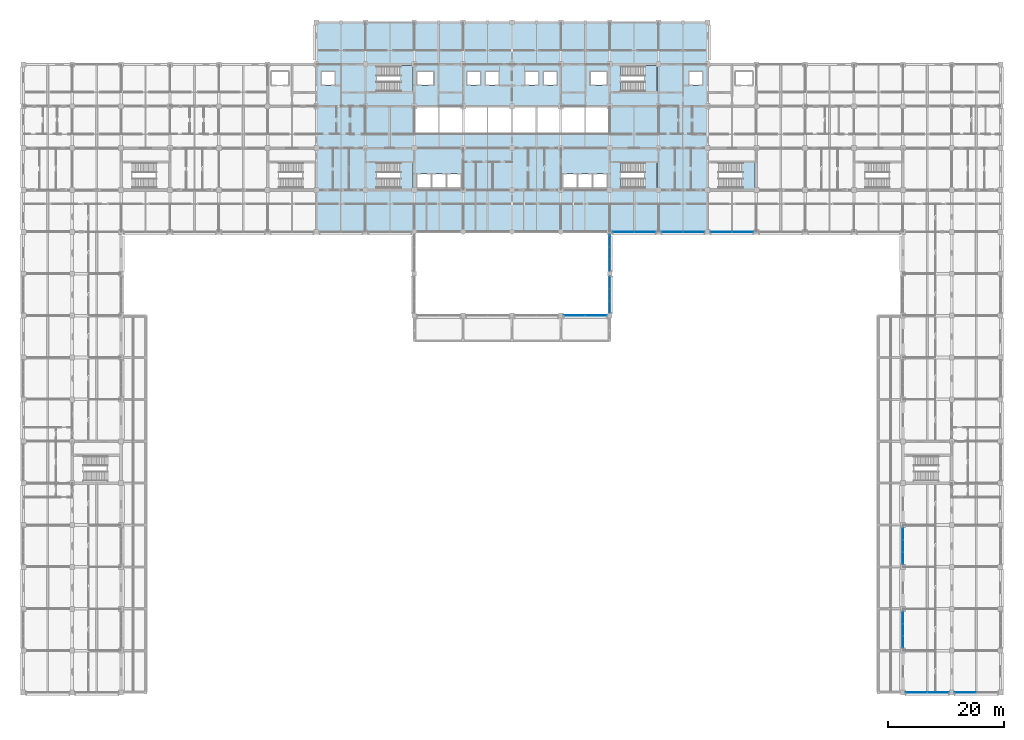
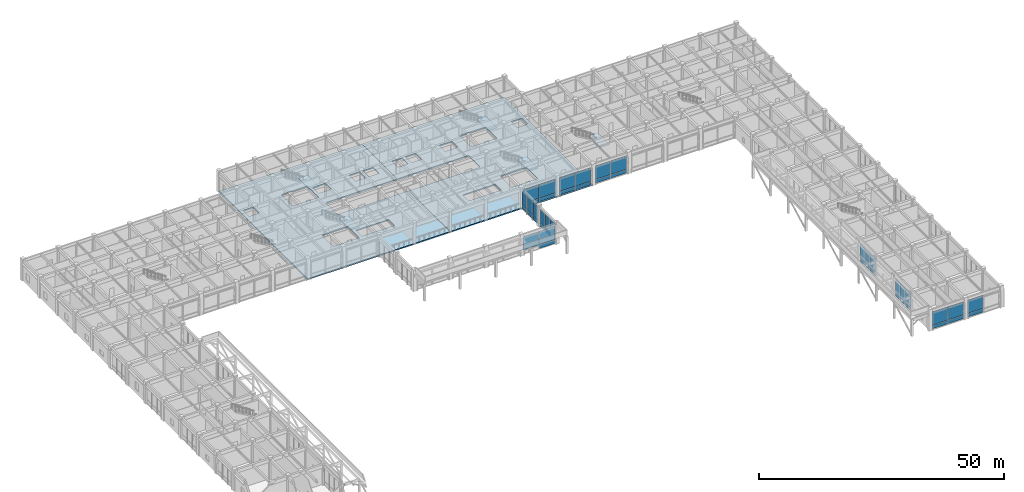
# One storey, part 31 of 68: 45 plates, 7 slabs, 15 elements without a shape of their own.
"""IFC4 building model written with IfcOpenShell, lengths in metres."""

import ifcopenshell
import ifcopenshell.guid

model = None  # the IFC model being written
_history = None  # IfcOwnerHistory: only IFC2X3 demands one
_inside = {}  # id of a spatial element -> (the spatial element, [elements in it])
_under = {}  # id of a project, library or spatial element -> (it, [spatial elements below it])
_declared = {}  # id of a project -> (the project, [libraries it declares])
_typed = {}  # id of a type object -> (the type object, [elements of that type])
_made_of = {}  # id of a material, layer set ... -> (it, [elements and type objects made of it])


def new_model(schema):
    """Start an empty IFC model of exactly this schema.

    Asked for "IFC4X3", IfcOpenShell would pick the latest addendum, in which some entities
    have other attributes; the version numbers below select the first issue.
    IFC2X3 requires an IfcOwnerHistory on every rooted entity: one is made here for all.
    """
    global model, _history
    if schema == "IFC4X3":
        model = ifcopenshell.file(schema_version=(4, 3, 0, 0))
    else:
        model = ifcopenshell.file(schema=schema)
    _inside.clear()
    _under.clear()
    _declared.clear()
    _typed.clear()
    _made_of.clear()
    _history = None
    if model.schema == "IFC2X3":
        org = make("IfcOrganization", Name="unknown")
        user = make(
            "IfcPersonAndOrganization",
            ThePerson=make("IfcPerson", FamilyName="unknown"),
            TheOrganization=org,
        )
        app = make(
            "IfcApplication",
            ApplicationDeveloper=org,
            Version="unknown",
            ApplicationFullName="unknown",
            ApplicationIdentifier="unknown",
        )
        _history = make(
            "IfcOwnerHistory",
            OwningUser=user,
            OwningApplication=app,
            ChangeAction="ADDED",
            CreationDate=0,
        )
    return model


def make(cls, **values):
    """One entity of the class cls with the attributes given. An attribute that is None is left unset."""
    return model.create_entity(
        cls, **{name: value for name, value in values.items() if value is not None}
    )


def rooted(cls, **values):
    """An entity with a GlobalId (a new one), such as an element, a storey or a relation."""
    return make(cls, GlobalId=ifcopenshell.guid.new(), OwnerHistory=_history, **values)


def si_unit(unit_type, name, prefix=None):
    """IfcSIUnit, for example si_unit("LENGTHUNIT", "METRE", prefix="MILLI")."""
    return make("IfcSIUnit", UnitType=unit_type, Prefix=prefix, Name=name)


def assignment(units):
    """IfcUnitAssignment: the units of a project."""
    return None if units is None else make("IfcUnitAssignment", Units=units)


def point(xyz):
    """IfcCartesianPoint."""
    return None if xyz is None else make("IfcCartesianPoint", Coordinates=xyz)


def direction(xyz):
    """IfcDirection."""
    return None if xyz is None else make("IfcDirection", DirectionRatios=xyz)


def frame(location, z_axis=None, x_axis=None):
    """IfcAxis2Placement3D, a coordinate frame: its origin and axes. An axis left out is left unset."""
    return make(
        "IfcAxis2Placement3D",
        Location=point(location),
        Axis=direction(z_axis),
        RefDirection=direction(x_axis),
    )


def frame_2d(location, x_axis=None):
    """IfcAxis2Placement2D, a coordinate frame in the plane: its origin and x axis."""
    return make(
        "IfcAxis2Placement2D", Location=point(location), RefDirection=direction(x_axis)
    )


def origin():
    """The frame at (0, 0, 0) with its axes left unset."""
    return frame((0.0, 0.0, 0.0))


def origin_2d():
    """The frame at (0, 0) in the plane with its x axis left unset."""
    return frame_2d((0.0, 0.0))


def place(relative_to, where):
    """IfcLocalPlacement: puts the frame where relative to a parent placement (None: the world)."""
    return make(
        "IfcLocalPlacement", PlacementRelTo=relative_to, RelativePlacement=where
    )


def context(
    kind, dimensions, precision=None, world=None, true_north=None, identifier=None
):
    """IfcGeometricRepresentationContext, for example the 3D "Model" context."""
    return make(
        "IfcGeometricRepresentationContext",
        ContextIdentifier=identifier,
        ContextType=kind,
        CoordinateSpaceDimension=dimensions,
        Precision=precision,
        WorldCoordinateSystem=world,
        TrueNorth=true_north,
    )


def subcontext(parent, identifier, kind, view, scale=None):
    """IfcGeometricRepresentationSubContext, for example "Body" below "Model"."""
    return make(
        "IfcGeometricRepresentationSubContext",
        ContextIdentifier=identifier,
        ContextType=kind,
        ParentContext=parent,
        TargetScale=scale,
        TargetView=view,
    )


def project(units=None, contexts=None):
    """IfcProject with its units and contexts."""
    return rooted(
        "IfcProject",
        Name="project",
        RepresentationContexts=contexts,
        UnitsInContext=assignment(units),
    )


def spatial(cls, under=None, at=None, **own):
    """A site, building, storey or space (cls), placed at a placement, below another one or the project."""
    s = rooted(cls, ObjectPlacement=at, **own)
    if under is not None:
        _under.setdefault(under.id(), (under, []))[1].append(s)
    return s


def polyline(points):
    """IfcPolyline through the points."""
    return make("IfcPolyline", Points=[point(p) for p in points])


def profile(cls, at=None, kind="AREA", **sizes):
    """A parametric profile (cls). Its sizes go by their IFC names, for example OverallWidth=200.0."""
    return make(cls, ProfileType=kind, Position=at, **sizes)


def rectangle(**sizes):
    """IfcRectangleProfileDef."""
    return profile("IfcRectangleProfileDef", **sizes)


def outline(outer, holes=None, kind="AREA"):
    """IfcArbitraryClosedProfileDef: a profile drawn as a closed curve; with holes, ...WithVoids."""
    if holes is None:
        return make("IfcArbitraryClosedProfileDef", ProfileType=kind, OuterCurve=outer)
    return make(
        "IfcArbitraryProfileDefWithVoids",
        ProfileType=kind,
        OuterCurve=outer,
        InnerCurves=holes,
    )


def extrude(swept, where, along, depth):
    """IfcExtrudedAreaSolid: the profile swept, set in the frame where, extruded along a direction by depth."""
    return make(
        "IfcExtrudedAreaSolid",
        SweptArea=swept,
        Position=where,
        ExtrudedDirection=direction(along),
        Depth=depth,
    )


def shape(context_of_items, identifier, shape_type, items):
    """IfcShapeRepresentation: the items that make up one representation, for example the "Body"."""
    return make(
        "IfcShapeRepresentation",
        ContextOfItems=context_of_items,
        RepresentationIdentifier=identifier,
        RepresentationType=shape_type,
        Items=items,
    )


def material(Name=None, Category=None):
    """IfcMaterial."""
    return make("IfcMaterial", Name=Name, Category=Category)


def layer(
    of_material, thickness, ventilated=None, Name=None, Category=None, Priority=None
):
    """IfcMaterialLayer: one layer of a wall or slab, of a material (None: an air gap)."""
    return make(
        "IfcMaterialLayer",
        Material=of_material,
        LayerThickness=thickness,
        IsVentilated=ventilated,
        Name=Name,
        Category=Category,
        Priority=Priority,
    )


def layer_set(layers, Name=None):
    """IfcMaterialLayerSet."""
    return make("IfcMaterialLayerSet", MaterialLayers=layers, LayerSetName=Name)


def made_of(thing, what):
    """Note that an element or type object is made of a material, layer set ...; save() writes the relation."""
    if what is not None:
        _made_of.setdefault(what.id(), (what, []))[1].append(thing)
    return thing


def type_object(cls, material=None, **own):
    """A type object (cls), such as IfcWallType, which elements share."""
    return made_of(rooted(cls, **own), material)


def element(
    cls,
    number,
    at=None,
    inside=None,
    cuts=None,
    type_object=None,
    material=None,
    context=None,
    identifier="Body",
    shape_type=None,
    held_by="IfcProductDefinitionShape",
    body=None,
    shapes=None,
    **own,
):
    """One element of the class cls, such as IfcWall. Its Tag is "e" and its number.

    at: its placement. inside: the storey or other place that contains it. cuts: it is an
    opening in that element (IfcRelVoidsElement). A single representation is given by context,
    identifier, shape_type and body (its items); several are given by shapes. held_by: the class
    of the entity that holds the representations. save() writes the other relations.
    """
    e = rooted(cls, Tag="e%d" % number, ObjectPlacement=at, **own)
    if body is not None:
        shapes = [shape(context, identifier, shape_type, body)]
    if shapes is not None:
        e.Representation = make(held_by, Representations=shapes)
    if inside is not None:
        _inside.setdefault(inside.id(), (inside, []))[1].append(e)
    if cuts is not None:
        rooted(
            "IfcRelVoidsElement", RelatingBuildingElement=cuts, RelatedOpeningElement=e
        )
    if type_object is not None:
        _typed.setdefault(type_object.id(), (type_object, []))[1].append(e)
    return made_of(e, material)


def aggregate(whole, parts):
    """IfcRelAggregates: a whole, such as a stair, and the parts it consists of."""
    return rooted("IfcRelAggregates", RelatingObject=whole, RelatedObjects=parts)


def save(model, path):
    """Write the relations noted so far, then the file.

    IfcRelAggregates (storeys below a building ...), IfcRelContainedInSpatialStructure (elements
    in a storey), IfcRelDefinesByType, IfcRelAssociatesMaterial and IfcRelDeclares: one each for
    every whole, place, type object, material and project.
    """
    for whole, parts in _under.values():
        aggregate(whole, parts)
    for where, things in _inside.values():
        rooted(
            "IfcRelContainedInSpatialStructure",
            RelatedElements=things,
            RelatingStructure=where,
        )
    for kind, things in _typed.values():
        rooted("IfcRelDefinesByType", RelatedObjects=things, RelatingType=kind)
    for what, things in _made_of.values():
        rooted("IfcRelAssociatesMaterial", RelatedObjects=things, RelatingMaterial=what)
    for by, libraries in _declared.values():
        rooted("IfcRelDeclares", RelatingContext=by, RelatedDefinitions=libraries)
    model.write(path)


model = new_model("IFC4")

# Units and contexts
model_context = context("Model", 3, precision=1e-05, world=origin(), true_north=direction((0.0, 1.0)))
body_context = subcontext(model_context, "Body", "Model", "MODEL_VIEW")
ifc_project = project(units=[si_unit("LENGTHUNIT", "METRE"), si_unit("AREAUNIT", "SQUARE_METRE"), si_unit("VOLUMEUNIT", "CUBIC_METRE"), si_unit("PLANEANGLEUNIT", "RADIAN"), si_unit("MASSUNIT", "GRAM", prefix="KILO")], contexts=[model_context])

# Site, building, storey
site_placement = place(None, origin())
site = spatial("IfcSite", under=ifc_project, at=site_placement, CompositionType="ELEMENT")
building_placement = place(site_placement, origin())
building = spatial("IfcBuilding", under=site, at=building_placement, Name="Chengyuan Square Courthouse", CompositionType="ELEMENT")
storey_placement = place(building_placement, frame((0.0, 0.0, 5.39990234375)))
storey = spatial("IfcBuildingStorey", under=building, at=storey_placement, Name="L02", CompositionType="ELEMENT", Elevation=5.39990234375)

# Curtain wall, plates
ifc_material_1 = material(Name="Unitised Aluminium and Triple Low-E Glass", Category="aluminium")
ifc_layer_1 = layer(ifc_material_1, 0.219970703125)
ifc_layer_set_1 = layer_set([ifc_layer_1], Name="Unitised Aluminium and Triple Low-E Glass")
curtain_wall_type_1 = type_object("IfcCurtainWallType", Name="CW-04", PredefinedType="USERDEFINED", material=ifc_layer_set_1)
curtain_wall_1_placement = place(storey_placement, origin())
curtain_wall_1 = element("IfcCurtainWall", 1, at=curtain_wall_1_placement, inside=storey, type_object=curtain_wall_type_1, Name="Unitised Curtain Wall CW-L02-066", ObjectType="UNITISED CURTAIN WALL", PredefinedType="USERDEFINED")
ifc_material_2 = material(Name="Triple Low-E Insulating Glass", Category="glass")
ifc_layer_2 = layer(ifc_material_2, 0.052001953125)
ifc_layer_set_2 = layer_set([ifc_layer_2], Name="Triple Low-E Insulating Glass")
plate_type_1 = type_object("IfcPlateType", Name="CWP-04", PredefinedType="CURTAIN_PANEL", material=ifc_layer_set_2)
plate_1_placement = place(storey_placement, frame((94.732421875, 64.800048828125, 0.990234375), z_axis=(0.0, 0.0, 1.0), x_axis=(1.0, 0.0, 0.0)))
plate_1 = element("IfcPlate", 2, at=plate_1_placement, type_object=plate_type_1, Name="CW-04 panel 1.2", PredefinedType="CURTAIN_PANEL", context=body_context, shape_type="SweptSolid", body=[
    extrude(rectangle(XDim=3.655029296875, YDim=0.052001953125, at=origin_2d()), origin(), (0.0, 0.0, 1.0), 3.39990234375),
])
plate_2_placement = place(storey_placement, frame((98.467529296875, 64.800048828125, 0.080078125), z_axis=(0.0, 0.0, 1.0), x_axis=(1.0, 0.0, 0.0)))
plate_2 = element("IfcPlate", 3, at=plate_2_placement, type_object=plate_type_1, Name="CW-04 panel 2.1", PredefinedType="CURTAIN_PANEL", context=body_context, shape_type="SweptSolid", body=[
    extrude(rectangle(XDim=3.655029296875, YDim=0.052001953125, at=origin_2d()), origin(), (0.0, 0.0, 1.0), 0.830078125),
])
plate_3_placement = place(storey_placement, frame((98.467529296875, 64.800048828125, 0.990234375), z_axis=(0.0, 0.0, 1.0), x_axis=(1.0, 0.0, 0.0)))
plate_3 = element("IfcPlate", 4, at=plate_3_placement, type_object=plate_type_1, Name="CW-04 panel 2.2", PredefinedType="CURTAIN_PANEL", context=body_context, shape_type="SweptSolid", body=[
    extrude(rectangle(XDim=3.655029296875, YDim=0.052001953125, at=origin_2d()), origin(), (0.0, 0.0, 1.0), 3.39990234375),
])
aggregate(curtain_wall_1, [plate_1, plate_2, plate_3])

curtain_wall_2_placement = place(storey_placement, origin())
curtain_wall_2 = element("IfcCurtainWall", 5, at=curtain_wall_2_placement, inside=storey, type_object=curtain_wall_type_1, Name="Unitised Curtain Wall CW-L02-069", ObjectType="UNITISED CURTAIN WALL", PredefinedType="USERDEFINED")
plate_4_placement = place(storey_placement, frame((103.14501953125, 79.199951171875, 0.080078125), z_axis=(0.0, 0.0, 1.0), x_axis=(1.0, 0.0, 0.0)))
plate_4 = element("IfcPlate", 6, at=plate_4_placement, type_object=plate_type_1, Name="CW-04 panel 1.1", PredefinedType="CURTAIN_PANEL", context=body_context, shape_type="SweptSolid", body=[
    extrude(rectangle(XDim=3.6298828125, YDim=0.052001953125, at=origin_2d()), origin(), (0.0, 0.0, 1.0), 0.830078125),
])
plate_5_placement = place(storey_placement, frame((103.14501953125, 79.199951171875, 0.990234375), z_axis=(0.0, 0.0, 1.0), x_axis=(1.0, 0.0, 0.0)))
plate_5 = element("IfcPlate", 7, at=plate_5_placement, type_object=plate_type_1, Name="CW-04 panel 1.2", PredefinedType="CURTAIN_PANEL", context=body_context, shape_type="SweptSolid", body=[
    extrude(rectangle(XDim=3.6298828125, YDim=0.052001953125, at=origin_2d()), origin(), (0.0, 0.0, 1.0), 3.39990234375),
])
plate_6_placement = place(storey_placement, frame((106.85498046875, 79.199951171875, 0.080078125), z_axis=(0.0, 0.0, 1.0), x_axis=(1.0, 0.0, 0.0)))
plate_6 = element("IfcPlate", 8, at=plate_6_placement, type_object=plate_type_1, Name="CW-04 panel 2.1", PredefinedType="CURTAIN_PANEL", context=body_context, shape_type="SweptSolid", body=[
    extrude(rectangle(XDim=3.6298828125, YDim=0.052001953125, at=origin_2d()), origin(), (0.0, 0.0, 1.0), 0.830078125),
])
plate_7_placement = place(storey_placement, frame((106.85498046875, 79.199951171875, 0.990234375), z_axis=(0.0, 0.0, 1.0), x_axis=(1.0, 0.0, 0.0)))
plate_7 = element("IfcPlate", 9, at=plate_7_placement, type_object=plate_type_1, Name="CW-04 panel 2.2", PredefinedType="CURTAIN_PANEL", context=body_context, shape_type="SweptSolid", body=[
    extrude(rectangle(XDim=3.6298828125, YDim=0.052001953125, at=origin_2d()), origin(), (0.0, 0.0, 1.0), 3.39990234375),
])
aggregate(curtain_wall_2, [plate_4, plate_5, plate_6, plate_7])

curtain_wall_3_placement = place(storey_placement, origin())
curtain_wall_3 = element("IfcCurtainWall", 10, at=curtain_wall_3_placement, inside=storey, type_object=curtain_wall_type_1, Name="Unitised Curtain Wall CW-L02-070", ObjectType="UNITISED CURTAIN WALL", PredefinedType="USERDEFINED")
plate_8_placement = place(storey_placement, frame((111.544921875, 79.199951171875, 0.080078125), z_axis=(0.0, 0.0, 1.0), x_axis=(1.0, 0.0, 0.0)))
plate_8 = element("IfcPlate", 11, at=plate_8_placement, type_object=plate_type_1, Name="CW-04 panel 1.1", PredefinedType="CURTAIN_PANEL", context=body_context, shape_type="SweptSolid", body=[
    extrude(rectangle(XDim=3.6298828125, YDim=0.052001953125, at=origin_2d()), origin(), (0.0, 0.0, 1.0), 0.830078125),
])
plate_9_placement = place(storey_placement, frame((111.544921875, 79.199951171875, 0.990234375), z_axis=(0.0, 0.0, 1.0), x_axis=(1.0, 0.0, 0.0)))
plate_9 = element("IfcPlate", 12, at=plate_9_placement, type_object=plate_type_1, Name="CW-04 panel 1.2", PredefinedType="CURTAIN_PANEL", context=body_context, shape_type="SweptSolid", body=[
    extrude(rectangle(XDim=3.6298828125, YDim=0.052001953125, at=origin_2d()), origin(), (0.0, 0.0, 1.0), 3.39990234375),
])
plate_10_placement = place(storey_placement, frame((115.2548828125, 79.199951171875, 0.080078125), z_axis=(0.0, 0.0, 1.0), x_axis=(1.0, 0.0, 0.0)))
plate_10 = element("IfcPlate", 13, at=plate_10_placement, type_object=plate_type_1, Name="CW-04 panel 2.1", PredefinedType="CURTAIN_PANEL", context=body_context, shape_type="SweptSolid", body=[
    extrude(rectangle(XDim=3.6298828125, YDim=0.052001953125, at=origin_2d()), origin(), (0.0, 0.0, 1.0), 0.830078125),
])
plate_11_placement = place(storey_placement, frame((115.2548828125, 79.199951171875, 0.990234375), z_axis=(0.0, 0.0, 1.0), x_axis=(1.0, 0.0, 0.0)))
plate_11 = element("IfcPlate", 14, at=plate_11_placement, type_object=plate_type_1, Name="CW-04 panel 2.2", PredefinedType="CURTAIN_PANEL", context=body_context, shape_type="SweptSolid", body=[
    extrude(rectangle(XDim=3.6298828125, YDim=0.052001953125, at=origin_2d()), origin(), (0.0, 0.0, 1.0), 3.39990234375),
])
aggregate(curtain_wall_3, [plate_8, plate_9, plate_10, plate_11])

curtain_wall_4_placement = place(storey_placement, origin())
curtain_wall_4 = element("IfcCurtainWall", 15, at=curtain_wall_4_placement, inside=storey, type_object=curtain_wall_type_1, Name="Unitised Curtain Wall CW-L02-071", ObjectType="UNITISED CURTAIN WALL", PredefinedType="USERDEFINED")
plate_12_placement = place(storey_placement, frame((119.951171875, 79.199951171875, 0.080078125), z_axis=(0.0, 0.0, 1.0), x_axis=(1.0, 0.0, 0.0)))
plate_12 = element("IfcPlate", 16, at=plate_12_placement, type_object=plate_type_1, Name="CW-04 panel 1.1", PredefinedType="CURTAIN_PANEL", context=body_context, shape_type="SweptSolid", body=[
    extrude(rectangle(XDim=3.642578125, YDim=0.052001953125, at=origin_2d()), origin(), (0.0, 0.0, 1.0), 0.830078125),
])
plate_13_placement = place(storey_placement, frame((119.951171875, 79.199951171875, 0.990234375), z_axis=(0.0, 0.0, 1.0), x_axis=(1.0, 0.0, 0.0)))
plate_13 = element("IfcPlate", 17, at=plate_13_placement, type_object=plate_type_1, Name="CW-04 panel 1.2", PredefinedType="CURTAIN_PANEL", context=body_context, shape_type="SweptSolid", body=[
    extrude(rectangle(XDim=3.642578125, YDim=0.052001953125, at=origin_2d()), origin(), (0.0, 0.0, 1.0), 3.39990234375),
])
plate_14_placement = place(storey_placement, frame((123.673828125, 79.199951171875, 0.080078125), z_axis=(0.0, 0.0, 1.0), x_axis=(1.0, 0.0, 0.0)))
plate_14 = element("IfcPlate", 18, at=plate_14_placement, type_object=plate_type_1, Name="CW-04 panel 2.1", PredefinedType="CURTAIN_PANEL", context=body_context, shape_type="SweptSolid", body=[
    extrude(rectangle(XDim=3.642578125, YDim=0.052001953125, at=origin_2d()), origin(), (0.0, 0.0, 1.0), 0.830078125),
])
plate_15_placement = place(storey_placement, frame((123.673828125, 79.199951171875, 0.990234375), z_axis=(0.0, 0.0, 1.0), x_axis=(1.0, 0.0, 0.0)))
plate_15 = element("IfcPlate", 19, at=plate_15_placement, type_object=plate_type_1, Name="CW-04 panel 2.2", PredefinedType="CURTAIN_PANEL", context=body_context, shape_type="SweptSolid", body=[
    extrude(rectangle(XDim=3.642578125, YDim=0.052001953125, at=origin_2d()), origin(), (0.0, 0.0, 1.0), 3.39990234375),
])
aggregate(curtain_wall_4, [plate_12, plate_13, plate_14, plate_15])

curtain_wall_5_placement = place(storey_placement, origin())
curtain_wall_5 = element("IfcCurtainWall", 20, at=curtain_wall_5_placement, inside=storey, type_object=curtain_wall_type_1, Name="Unitised Curtain Wall CW-L02-077", ObjectType="UNITISED CURTAIN WALL", PredefinedType="USERDEFINED")
plate_16_placement = place(storey_placement, frame((153.532470703125, 0.0, 0.080078125), z_axis=(0.0, 0.0, 1.0), x_axis=(1.0, 0.0, 0.0)))
plate_16 = element("IfcPlate", 21, at=plate_16_placement, type_object=plate_type_1, Name="CW-04 panel 1.1", PredefinedType="CURTAIN_PANEL", context=body_context, shape_type="SweptSolid", body=[
    extrude(rectangle(XDim=3.655029296875, YDim=0.052001953125, at=origin_2d()), origin(), (0.0, 0.0, 1.0), 0.830078125),
])
plate_17_placement = place(storey_placement, frame((153.532470703125, 0.0, 0.989990234375), z_axis=(0.0, 0.0, 1.0), x_axis=(1.0, 0.0, 0.0)))
plate_17 = element("IfcPlate", 22, at=plate_17_placement, type_object=plate_type_1, Name="CW-04 panel 1.2", PredefinedType="CURTAIN_PANEL", context=body_context, shape_type="SweptSolid", body=[
    extrude(rectangle(XDim=3.655029296875, YDim=0.052001953125, at=origin_2d()), origin(), (0.0, 0.0, 1.0), 3.330078125),
])
plate_18_placement = place(storey_placement, frame((157.267578125, 0.0, 0.080078125), z_axis=(0.0, 0.0, 1.0), x_axis=(1.0, 0.0, 0.0)))
plate_18 = element("IfcPlate", 23, at=plate_18_placement, type_object=plate_type_1, Name="CW-04 panel 2.1", PredefinedType="CURTAIN_PANEL", context=body_context, shape_type="SweptSolid", body=[
    extrude(rectangle(XDim=3.655029296875, YDim=0.052001953125, at=origin_2d()), origin(), (0.0, 0.0, 1.0), 0.830078125),
])
plate_19_placement = place(storey_placement, frame((157.267578125, 0.0, 0.989990234375), z_axis=(0.0, 0.0, 1.0), x_axis=(1.0, 0.0, 0.0)))
plate_19 = element("IfcPlate", 24, at=plate_19_placement, type_object=plate_type_1, Name="CW-04 panel 2.2", PredefinedType="CURTAIN_PANEL", context=body_context, shape_type="SweptSolid", body=[
    extrude(rectangle(XDim=3.655029296875, YDim=0.052001953125, at=origin_2d()), origin(), (0.0, 0.0, 1.0), 3.330078125),
])
aggregate(curtain_wall_5, [plate_16, plate_17, plate_18, plate_19])

curtain_wall_6_placement = place(storey_placement, origin())
curtain_wall_6 = element("IfcCurtainWall", 25, at=curtain_wall_6_placement, inside=storey, type_object=curtain_wall_type_1, Name="Unitised Curtain Wall CW-L02-082", ObjectType="UNITISED CURTAIN WALL", PredefinedType="USERDEFINED")
plate_20_placement = place(storey_placement, frame((161.9326171875, 0.0, 0.080078125), z_axis=(0.0, 0.0, 1.0), x_axis=(1.0, 0.0, 0.0)))
plate_20 = element("IfcPlate", 26, at=plate_20_placement, type_object=plate_type_1, Name="CW-04 panel 1.1", PredefinedType="CURTAIN_PANEL", context=body_context, shape_type="SweptSolid", body=[
    extrude(rectangle(XDim=3.655029296875, YDim=0.052001953125, at=origin_2d()), origin(), (0.0, 0.0, 1.0), 0.830078125),
])
plate_21_placement = place(storey_placement, frame((161.9326171875, 0.0, 0.989990234375), z_axis=(0.0, 0.0, 1.0), x_axis=(1.0, 0.0, 0.0)))
plate_21 = element("IfcPlate", 27, at=plate_21_placement, type_object=plate_type_1, Name="CW-04 panel 1.2", PredefinedType="CURTAIN_PANEL", context=body_context, shape_type="SweptSolid", body=[
    extrude(rectangle(XDim=3.655029296875, YDim=0.052001953125, at=origin_2d()), origin(), (0.0, 0.0, 1.0), 3.330078125),
])
aggregate(curtain_wall_6, [plate_20, plate_21])

ifc_layer_3 = layer(ifc_material_1, 0.159912109375)
ifc_layer_set_3 = layer_set([ifc_layer_3], Name="Unitised Aluminium and Triple Low-E Glass")
curtain_wall_type_2 = type_object("IfcCurtainWallType", Name="CW-17", PredefinedType="USERDEFINED", material=ifc_layer_set_3)
curtain_wall_7_placement = place(storey_placement, origin())
curtain_wall_7 = element("IfcCurtainWall", 28, at=curtain_wall_7_placement, inside=storey, type_object=curtain_wall_type_2, Name="Unitised Curtain Wall CW-L02-067", ObjectType="UNITISED CURTAIN WALL", PredefinedType="USERDEFINED")
ifc_layer_4 = layer(ifc_material_2, 0.06201171875)
ifc_layer_set_4 = layer_set([ifc_layer_4], Name="Triple Low-E Insulating Glass")
plate_type_2 = type_object("IfcPlateType", Name="CWP-05", PredefinedType="CURTAIN_PANEL", material=ifc_layer_set_4)
plate_22_placement = place(storey_placement, frame((100.800048828125, 66.29833984375, 0.06005859375), z_axis=(0.0, 0.0, 1.0), x_axis=(0.0, 1.0, 0.0)))
plate_22 = element("IfcPlate", 29, at=plate_22_placement, type_object=plate_type_2, Name="CW-17 panel 1.1", PredefinedType="CURTAIN_PANEL", context=body_context, shape_type="SweptSolid", body=[
    extrude(rectangle(XDim=2.026611328125, YDim=0.06201171875, at=origin_2d()), origin(), (0.0, 0.0, 1.0), 0.860107421875),
])
plate_23_placement = place(storey_placement, frame((100.800048828125, 66.29833984375, 0.97998046875), z_axis=(0.0, 0.0, 1.0), x_axis=(0.0, 1.0, 0.0)))
plate_23 = element("IfcPlate", 30, at=plate_23_placement, type_object=plate_type_2, Name="CW-17 panel 1.2", PredefinedType="CURTAIN_PANEL", context=body_context, shape_type="SweptSolid", body=[
    extrude(rectangle(XDim=2.026611328125, YDim=0.06201171875, at=origin_2d()), origin(), (0.0, 0.0, 1.0), 3.429931640625),
])
plate_24_placement = place(storey_placement, frame((100.800048828125, 68.39990234375, 0.06005859375), z_axis=(0.0, 0.0, 1.0), x_axis=(0.0, 1.0, 0.0)))
plate_24 = element("IfcPlate", 31, at=plate_24_placement, type_object=plate_type_2, Name="CW-17 panel 2.1", PredefinedType="CURTAIN_PANEL", context=body_context, shape_type="SweptSolid", body=[
    extrude(rectangle(XDim=2.056640625, YDim=0.06201171875, at=origin_2d()), origin(), (0.0, 0.0, 1.0), 0.860107421875),
])
plate_25_placement = place(storey_placement, frame((100.800048828125, 68.39990234375, 0.97998046875), z_axis=(0.0, 0.0, 1.0), x_axis=(0.0, 1.0, 0.0)))
plate_25 = element("IfcPlate", 32, at=plate_25_placement, type_object=plate_type_2, Name="CW-17 panel 2.2", PredefinedType="CURTAIN_PANEL", context=body_context, shape_type="SweptSolid", body=[
    extrude(rectangle(XDim=2.056640625, YDim=0.06201171875, at=origin_2d()), origin(), (0.0, 0.0, 1.0), 3.429931640625),
])
plate_26_placement = place(storey_placement, frame((100.800048828125, 70.501708984375, 0.06005859375), z_axis=(0.0, 0.0, 1.0), x_axis=(0.0, 1.0, 0.0)))
plate_26 = element("IfcPlate", 33, at=plate_26_placement, type_object=plate_type_2, Name="CW-17 panel 3.1", PredefinedType="CURTAIN_PANEL", context=body_context, shape_type="SweptSolid", body=[
    extrude(rectangle(XDim=2.026611328125, YDim=0.06201171875, at=origin_2d()), origin(), (0.0, 0.0, 1.0), 0.860107421875),
])
plate_27_placement = place(storey_placement, frame((100.800048828125, 70.501708984375, 0.97998046875), z_axis=(0.0, 0.0, 1.0), x_axis=(0.0, 1.0, 0.0)))
plate_27 = element("IfcPlate", 34, at=plate_27_placement, type_object=plate_type_2, Name="CW-17 panel 3.2", PredefinedType="CURTAIN_PANEL", context=body_context, shape_type="SweptSolid", body=[
    extrude(rectangle(XDim=2.026611328125, YDim=0.06201171875, at=origin_2d()), origin(), (0.0, 0.0, 1.0), 3.429931640625),
])
aggregate(curtain_wall_7, [plate_22, plate_23, plate_24, plate_25, plate_26, plate_27])

curtain_wall_8_placement = place(storey_placement, origin())
curtain_wall_8 = element("IfcCurtainWall", 35, at=curtain_wall_8_placement, inside=storey, type_object=curtain_wall_type_2, Name="Unitised Curtain Wall CW-L02-068", ObjectType="UNITISED CURTAIN WALL", PredefinedType="USERDEFINED")
plate_28_placement = place(storey_placement, frame((100.800048828125, 73.494140625, 0.06005859375), z_axis=(0.0, 0.0, 1.0), x_axis=(0.0, 1.0, 0.0)))
plate_28 = element("IfcPlate", 36, at=plate_28_placement, type_object=plate_type_2, Name="CW-17 panel 1.1", PredefinedType="CURTAIN_PANEL", context=body_context, shape_type="SweptSolid", body=[
    extrude(rectangle(XDim=2.018310546875, YDim=0.06201171875, at=origin_2d()), origin(), (0.0, 0.0, 1.0), 0.860107421875),
])
plate_29_placement = place(storey_placement, frame((100.800048828125, 73.494140625, 0.97998046875), z_axis=(0.0, 0.0, 1.0), x_axis=(0.0, 1.0, 0.0)))
plate_29 = element("IfcPlate", 37, at=plate_29_placement, type_object=plate_type_2, Name="CW-17 panel 1.2", PredefinedType="CURTAIN_PANEL", context=body_context, shape_type="SweptSolid", body=[
    extrude(rectangle(XDim=2.018310546875, YDim=0.06201171875, at=origin_2d()), origin(), (0.0, 0.0, 1.0), 3.429931640625),
])
plate_30_placement = place(storey_placement, frame((100.800048828125, 75.58740234375, 0.06005859375), z_axis=(0.0, 0.0, 1.0), x_axis=(0.0, 1.0, 0.0)))
plate_30 = element("IfcPlate", 38, at=plate_30_placement, type_object=plate_type_2, Name="CW-17 panel 2.1", PredefinedType="CURTAIN_PANEL", context=body_context, shape_type="SweptSolid", body=[
    extrude(rectangle(XDim=2.04833984375, YDim=0.06201171875, at=origin_2d()), origin(), (0.0, 0.0, 1.0), 0.860107421875),
])
plate_31_placement = place(storey_placement, frame((100.800048828125, 75.58740234375, 0.97998046875), z_axis=(0.0, 0.0, 1.0), x_axis=(0.0, 1.0, 0.0)))
plate_31 = element("IfcPlate", 39, at=plate_31_placement, type_object=plate_type_2, Name="CW-17 panel 2.2", PredefinedType="CURTAIN_PANEL", context=body_context, shape_type="SweptSolid", body=[
    extrude(rectangle(XDim=2.04833984375, YDim=0.06201171875, at=origin_2d()), origin(), (0.0, 0.0, 1.0), 3.429931640625),
])
plate_32_placement = place(storey_placement, frame((100.800048828125, 77.680908203125, 0.06005859375), z_axis=(0.0, 0.0, 1.0), x_axis=(0.0, 1.0, 0.0)))
plate_32 = element("IfcPlate", 40, at=plate_32_placement, type_object=plate_type_2, Name="CW-17 panel 3.1", PredefinedType="CURTAIN_PANEL", context=body_context, shape_type="SweptSolid", body=[
    extrude(rectangle(XDim=2.018310546875, YDim=0.06201171875, at=origin_2d()), origin(), (0.0, 0.0, 1.0), 0.860107421875),
])
plate_33_placement = place(storey_placement, frame((100.800048828125, 77.680908203125, 0.97998046875), z_axis=(0.0, 0.0, 1.0), x_axis=(0.0, 1.0, 0.0)))
plate_33 = element("IfcPlate", 41, at=plate_33_placement, type_object=plate_type_2, Name="CW-17 panel 3.2", PredefinedType="CURTAIN_PANEL", context=body_context, shape_type="SweptSolid", body=[
    extrude(rectangle(XDim=2.018310546875, YDim=0.06201171875, at=origin_2d()), origin(), (0.0, 0.0, 1.0), 3.429931640625),
])
aggregate(curtain_wall_8, [plate_28, plate_29, plate_30, plate_31, plate_32, plate_33])

curtain_wall_9_placement = place(storey_placement, origin())
curtain_wall_9 = element("IfcCurtainWall", 42, at=curtain_wall_9_placement, inside=storey, type_object=curtain_wall_type_2, Name="Unitised Curtain Wall CW-L02-078", ObjectType="UNITISED CURTAIN WALL", PredefinedType="USERDEFINED")
plate_34_placement = place(storey_placement, frame((151.199951171875, 8.6982421875, 0.06005859375), z_axis=(0.0, 0.0, 1.0), x_axis=(0.0, 1.0, 0.0)))
plate_34 = element("IfcPlate", 43, at=plate_34_placement, type_object=plate_type_2, Name="CW-17 panel 1.1", PredefinedType="CURTAIN_PANEL", context=body_context, shape_type="SweptSolid", body=[
    extrude(rectangle(XDim=2.026611328125, YDim=0.06201171875, at=origin_2d()), origin(), (0.0, 0.0, 1.0), 0.860107421875),
])
plate_35_placement = place(storey_placement, frame((151.199951171875, 8.6982421875, 0.97998046875), z_axis=(0.0, 0.0, 1.0), x_axis=(0.0, 1.0, 0.0)))
plate_35 = element("IfcPlate", 44, at=plate_35_placement, type_object=plate_type_2, Name="CW-17 panel 1.2", PredefinedType="CURTAIN_PANEL", context=body_context, shape_type="SweptSolid", body=[
    extrude(rectangle(XDim=2.026611328125, YDim=0.06201171875, at=origin_2d()), origin(), (0.0, 0.0, 1.0), 3.360107421875),
])
plate_36_placement = place(storey_placement, frame((151.199951171875, 10.800048828125, 0.06005859375), z_axis=(0.0, 0.0, 1.0), x_axis=(0.0, 1.0, 0.0)))
plate_36 = element("IfcPlate", 45, at=plate_36_placement, type_object=plate_type_2, Name="CW-17 panel 2.1", PredefinedType="CURTAIN_PANEL", context=body_context, shape_type="SweptSolid", body=[
    extrude(rectangle(XDim=2.056640625, YDim=0.06201171875, at=origin_2d()), origin(), (0.0, 0.0, 1.0), 0.860107421875),
])
plate_37_placement = place(storey_placement, frame((151.199951171875, 10.800048828125, 0.97998046875), z_axis=(0.0, 0.0, 1.0), x_axis=(0.0, 1.0, 0.0)))
plate_37 = element("IfcPlate", 46, at=plate_37_placement, type_object=plate_type_2, Name="CW-17 panel 2.2", PredefinedType="CURTAIN_PANEL", context=body_context, shape_type="SweptSolid", body=[
    extrude(rectangle(XDim=2.056640625, YDim=0.06201171875, at=origin_2d()), origin(), (0.0, 0.0, 1.0), 3.360107421875),
])
plate_38_placement = place(storey_placement, frame((151.199951171875, 12.901611328125, 0.06005859375), z_axis=(0.0, 0.0, 1.0), x_axis=(0.0, 1.0, 0.0)))
plate_38 = element("IfcPlate", 47, at=plate_38_placement, type_object=plate_type_2, Name="CW-17 panel 3.1", PredefinedType="CURTAIN_PANEL", context=body_context, shape_type="SweptSolid", body=[
    extrude(rectangle(XDim=2.026611328125, YDim=0.06201171875, at=origin_2d()), origin(), (0.0, 0.0, 1.0), 0.860107421875),
])
plate_39_placement = place(storey_placement, frame((151.199951171875, 12.901611328125, 0.97998046875), z_axis=(0.0, 0.0, 1.0), x_axis=(0.0, 1.0, 0.0)))
plate_39 = element("IfcPlate", 48, at=plate_39_placement, type_object=plate_type_2, Name="CW-17 panel 3.2", PredefinedType="CURTAIN_PANEL", context=body_context, shape_type="SweptSolid", body=[
    extrude(rectangle(XDim=2.026611328125, YDim=0.06201171875, at=origin_2d()), origin(), (0.0, 0.0, 1.0), 3.360107421875),
])
aggregate(curtain_wall_9, [plate_34, plate_35, plate_36, plate_37, plate_38, plate_39])

curtain_wall_10_placement = place(storey_placement, origin())
curtain_wall_10 = element("IfcCurtainWall", 49, at=curtain_wall_10_placement, inside=storey, type_object=curtain_wall_type_2, Name="Unitised Curtain Wall CW-L02-079", ObjectType="UNITISED CURTAIN WALL", PredefinedType="USERDEFINED")
plate_40_placement = place(storey_placement, frame((151.199951171875, 23.098388671875, 0.06005859375), z_axis=(0.0, 0.0, 1.0), x_axis=(0.0, 1.0, 0.0)))
plate_40 = element("IfcPlate", 50, at=plate_40_placement, type_object=plate_type_2, Name="CW-17 panel 1.1", PredefinedType="CURTAIN_PANEL", context=body_context, shape_type="SweptSolid", body=[
    extrude(rectangle(XDim=2.026611328125, YDim=0.06201171875, at=origin_2d()), origin(), (0.0, 0.0, 1.0), 0.860107421875),
])
plate_41_placement = place(storey_placement, frame((151.199951171875, 23.098388671875, 0.97998046875), z_axis=(0.0, 0.0, 1.0), x_axis=(0.0, 1.0, 0.0)))
plate_41 = element("IfcPlate", 51, at=plate_41_placement, type_object=plate_type_2, Name="CW-17 panel 1.2", PredefinedType="CURTAIN_PANEL", context=body_context, shape_type="SweptSolid", body=[
    extrude(rectangle(XDim=2.026611328125, YDim=0.06201171875, at=origin_2d()), origin(), (0.0, 0.0, 1.0), 3.360107421875),
])
plate_42_placement = place(storey_placement, frame((151.199951171875, 25.199951171875, 0.06005859375), z_axis=(0.0, 0.0, 1.0), x_axis=(0.0, 1.0, 0.0)))
plate_42 = element("IfcPlate", 52, at=plate_42_placement, type_object=plate_type_2, Name="CW-17 panel 2.1", PredefinedType="CURTAIN_PANEL", context=body_context, shape_type="SweptSolid", body=[
    extrude(rectangle(XDim=2.056640625, YDim=0.06201171875, at=origin_2d()), origin(), (0.0, 0.0, 1.0), 0.860107421875),
])
plate_43_placement = place(storey_placement, frame((151.199951171875, 25.199951171875, 0.97998046875), z_axis=(0.0, 0.0, 1.0), x_axis=(0.0, 1.0, 0.0)))
plate_43 = element("IfcPlate", 53, at=plate_43_placement, type_object=plate_type_2, Name="CW-17 panel 2.2", PredefinedType="CURTAIN_PANEL", context=body_context, shape_type="SweptSolid", body=[
    extrude(rectangle(XDim=2.056640625, YDim=0.06201171875, at=origin_2d()), origin(), (0.0, 0.0, 1.0), 3.360107421875),
])
plate_44_placement = place(storey_placement, frame((151.199951171875, 27.3017578125, 0.06005859375), z_axis=(0.0, 0.0, 1.0), x_axis=(0.0, 1.0, 0.0)))
plate_44 = element("IfcPlate", 54, at=plate_44_placement, type_object=plate_type_2, Name="CW-17 panel 3.1", PredefinedType="CURTAIN_PANEL", context=body_context, shape_type="SweptSolid", body=[
    extrude(rectangle(XDim=2.026611328125, YDim=0.06201171875, at=origin_2d()), origin(), (0.0, 0.0, 1.0), 0.860107421875),
])
plate_45_placement = place(storey_placement, frame((151.199951171875, 27.3017578125, 0.97998046875), z_axis=(0.0, 0.0, 1.0), x_axis=(0.0, 1.0, 0.0)))
plate_45 = element("IfcPlate", 55, at=plate_45_placement, type_object=plate_type_2, Name="CW-17 panel 3.2", PredefinedType="CURTAIN_PANEL", context=body_context, shape_type="SweptSolid", body=[
    extrude(rectangle(XDim=2.026611328125, YDim=0.06201171875, at=origin_2d()), origin(), (0.0, 0.0, 1.0), 3.360107421875),
])
aggregate(curtain_wall_10, [plate_40, plate_41, plate_42, plate_43, plate_44, plate_45])

# Stair, slab
ifc_material_3 = material(Name="Concrete C40", Category="concrete")
stair_type_1 = type_object("IfcStairType", Name="ST-TYPE-01", PredefinedType="HALF_TURN_STAIR", material=ifc_material_3)
stair_1_placement = place(storey_placement, origin())
stair_1 = element("IfcStair", 56, at=stair_1_placement, inside=storey, type_object=stair_type_1, Name="Smoke-Proof Exit Stair ST-1 (L02 to L03)", PredefinedType="HALF_TURN_STAIR")
ifc_layer_5 = layer(ifc_material_3, 0.18994140625)
ifc_layer_set_5 = layer_set([ifc_layer_5], Name="Concrete C40")
slab_type_1 = type_object("IfcSlabType", Name="SL-LND1", PredefinedType="LANDING", material=ifc_layer_set_5)
slab_1_placement = place(storey_placement, frame((0.0, 0.0, 2.510009765625)))
slab_1 = element("IfcSlab", 57, at=slab_1_placement, type_object=slab_type_1, Name="ST-1 landing 1", PredefinedType="LANDING", context=body_context, shape_type="SweptSolid", body=[
    extrude(outline(polyline([(64.72998046875, 103.159912109375), (66.93994140625, 103.159912109375), (66.93994140625, 107.840087890625), (64.72998046875, 107.840087890625), (64.72998046875, 103.159912109375)])), origin(), (0.0, 0.0, 1.0), 0.190185546875),
])
aggregate(stair_1, [slab_1])

stair_type_2 = type_object("IfcStairType", Name="ST-TYPE-02", PredefinedType="HALF_TURN_STAIR", material=ifc_material_3)
stair_2_placement = place(storey_placement, origin())
stair_2 = element("IfcStair", 58, at=stair_2_placement, inside=storey, type_object=stair_type_2, Name="Smoke-Proof Exit Stair ST-2 (L02 to L03)", PredefinedType="HALF_TURN_STAIR")
slab_2_placement = place(storey_placement, frame((0.0, 0.0, 2.510009765625)))
slab_2 = element("IfcSlab", 59, at=slab_2_placement, type_object=slab_type_1, Name="ST-2 landing 1", PredefinedType="LANDING", context=body_context, shape_type="SweptSolid", body=[
    extrude(outline(polyline([(106.72998046875, 103.159912109375), (108.93994140625, 103.159912109375), (108.93994140625, 107.840087890625), (106.72998046875, 107.840087890625), (106.72998046875, 103.159912109375)])), origin(), (0.0, 0.0, 1.0), 0.190185546875),
])
aggregate(stair_2, [slab_2])

stair_type_3 = type_object("IfcStairType", Name="ST-TYPE-03", PredefinedType="HALF_TURN_STAIR", material=ifc_material_3)
stair_3_placement = place(storey_placement, origin())
stair_3 = element("IfcStair", 60, at=stair_3_placement, inside=storey, type_object=stair_type_3, Name="Smoke-Proof Exit Stair ST-3 (L02 to L03)", PredefinedType="HALF_TURN_STAIR")
slab_3_placement = place(storey_placement, frame((0.0, 0.0, 2.510009765625)))
slab_3 = element("IfcSlab", 61, at=slab_3_placement, type_object=slab_type_1, Name="ST-3 landing 1", PredefinedType="LANDING", context=body_context, shape_type="SweptSolid", body=[
    extrude(outline(polyline([(64.72998046875, 86.56005859375), (66.93994140625, 86.56005859375), (66.93994140625, 91.239990234375), (64.72998046875, 91.239990234375), (64.72998046875, 86.56005859375)])), origin(), (0.0, 0.0, 1.0), 0.190185546875),
])
aggregate(stair_3, [slab_3])

stair_type_4 = type_object("IfcStairType", Name="ST-TYPE-04", PredefinedType="HALF_TURN_STAIR", material=ifc_material_3)
stair_4_placement = place(storey_placement, origin())
stair_4 = element("IfcStair", 62, at=stair_4_placement, inside=storey, type_object=stair_type_4, Name="Smoke-Proof Exit Stair ST-4 (L02 to L03)", PredefinedType="HALF_TURN_STAIR")
slab_4_placement = place(storey_placement, frame((0.0, 0.0, 2.510009765625)))
slab_4 = element("IfcSlab", 63, at=slab_4_placement, type_object=slab_type_1, Name="ST-4 landing 1", PredefinedType="LANDING", context=body_context, shape_type="SweptSolid", body=[
    extrude(outline(polyline([(106.72998046875, 86.56005859375), (108.93994140625, 86.56005859375), (108.93994140625, 91.239990234375), (106.72998046875, 91.239990234375), (106.72998046875, 86.56005859375)])), origin(), (0.0, 0.0, 1.0), 0.190185546875),
])
aggregate(stair_4, [slab_4])

stair_type_5 = type_object("IfcStairType", Name="ST-TYPE-06", PredefinedType="HALF_TURN_STAIR", material=ifc_material_3)
stair_5_placement = place(storey_placement, origin())
stair_5 = element("IfcStair", 64, at=stair_5_placement, inside=storey, type_object=stair_type_5, Name="Smoke-Proof Exit Stair ST-6 (L02 to L03)", PredefinedType="HALF_TURN_STAIR")
slab_5_placement = place(storey_placement, frame((0.0, 0.0, 2.510009765625)))
slab_5 = element("IfcSlab", 65, at=slab_5_placement, type_object=slab_type_1, Name="ST-6 landing 1", PredefinedType="LANDING", context=body_context, shape_type="SweptSolid", body=[
    extrude(outline(polyline([(123.530029296875, 86.56005859375), (125.739990234375, 86.56005859375), (125.739990234375, 91.239990234375), (123.530029296875, 91.239990234375), (123.530029296875, 86.56005859375)])), origin(), (0.0, 0.0, 1.0), 0.190185546875),
])
aggregate(stair_5, [slab_5])

# Slabs
ifc_material_4 = material(Name="Post-tensioned Concrete C50", Category="concrete")
ifc_layer_6 = layer(ifc_material_4, 0.280029296875)
ifc_layer_set_6 = layer_set([ifc_layer_6], Name="Post-tensioned Concrete C50")
slab_type_2 = type_object("IfcSlabType", Name="SL-PT28", PredefinedType="FLOOR", material=ifc_layer_set_6)
slab_6_placement = place(storey_placement, frame((0.0, 0.0, -0.27978515625)))
element("IfcSlab", 66, at=slab_6_placement, inside=storey, type_object=slab_type_2, Name="Suspended Floor Slab SL-L02-02", PredefinedType="FLOOR", context=body_context, shape_type="SweptSolid", body=[
    extrude(outline(polyline([(50.39990234375, 115.199951171875), (58.800048828125, 115.199951171875), (67.199951171875, 115.199951171875), (75.60009765625, 115.199951171875), (84.0, 115.199951171875), (84.0, 100.800048828125), (67.199951171875, 100.800048828125), (67.199951171875, 96.0), (84.0, 96.0), (84.0, 79.199951171875), (67.199951171875, 79.199951171875), (58.800048828125, 79.199951171875), (50.39990234375, 79.199951171875), (50.39990234375, 108.0), (50.39990234375, 115.199951171875)]), holes=[polyline([(70.14990234375, 89.199951171875), (67.60009765625, 89.199951171875), (67.60009765625, 86.800048828125), (70.14990234375, 86.800048828125), (72.75, 86.800048828125), (75.300048828125, 86.800048828125), (75.300048828125, 89.199951171875), (72.75, 89.199951171875), (70.14990234375, 89.199951171875)]), polyline([(66.89990234375, 91.199951171875), (60.75, 91.199951171875), (60.75, 86.60009765625), (66.89990234375, 86.60009765625), (66.89990234375, 91.199951171875)]), polyline([(66.89990234375, 107.800048828125), (60.75, 107.800048828125), (60.75, 103.199951171875), (66.89990234375, 103.199951171875), (66.89990234375, 107.800048828125)]), polyline([(53.60009765625, 106.800048828125), (51.199951171875, 106.800048828125), (51.199951171875, 104.39990234375), (53.60009765625, 104.39990234375), (53.60009765625, 106.800048828125)]), polyline([(70.60009765625, 106.800048828125), (67.60009765625, 106.800048828125), (67.60009765625, 104.39990234375), (70.60009765625, 104.39990234375), (70.60009765625, 106.800048828125)]), polyline([(78.60009765625, 106.800048828125), (76.199951171875, 106.800048828125), (76.199951171875, 104.39990234375), (78.60009765625, 104.39990234375), (78.60009765625, 106.800048828125)]), polyline([(81.800048828125, 106.800048828125), (79.39990234375, 106.800048828125), (79.39990234375, 104.39990234375), (81.800048828125, 104.39990234375), (81.800048828125, 106.800048828125)])]), origin(), (0.0, 0.0, 1.0), 0.27978515625),
])
slab_7_placement = place(storey_placement, frame((0.0, 0.0, -0.27978515625)))
element("IfcSlab", 67, at=slab_7_placement, inside=storey, type_object=slab_type_2, Name="Suspended Floor Slab SL-L02-03", PredefinedType="FLOOR", context=body_context, shape_type="SweptSolid", body=[
    extrude(outline(polyline([(92.39990234375, 115.199951171875), (100.800048828125, 115.199951171875), (109.199951171875, 115.199951171875), (117.60009765625, 115.199951171875), (117.60009765625, 108.0), (117.60009765625, 79.199951171875), (109.199951171875, 79.199951171875), (100.800048828125, 79.199951171875), (84.0, 79.199951171875), (84.0, 96.0), (100.800048828125, 96.0), (100.800048828125, 100.800048828125), (84.0, 100.800048828125), (84.0, 115.199951171875), (92.39990234375, 115.199951171875)]), holes=[polyline([(95.25, 89.199951171875), (92.699951171875, 89.199951171875), (92.699951171875, 86.800048828125), (95.25, 86.800048828125), (97.85009765625, 86.800048828125), (100.39990234375, 86.800048828125), (100.39990234375, 89.199951171875), (97.85009765625, 89.199951171875), (95.25, 89.199951171875)]), polyline([(108.89990234375, 91.199951171875), (102.75, 91.199951171875), (102.75, 86.60009765625), (108.89990234375, 86.60009765625), (108.89990234375, 91.199951171875)]), polyline([(108.89990234375, 107.800048828125), (102.75, 107.800048828125), (102.75, 103.199951171875), (108.89990234375, 103.199951171875), (108.89990234375, 107.800048828125)]), polyline([(88.60009765625, 106.800048828125), (86.199951171875, 106.800048828125), (86.199951171875, 104.39990234375), (88.60009765625, 104.39990234375), (88.60009765625, 106.800048828125)]), polyline([(91.800048828125, 106.800048828125), (89.39990234375, 106.800048828125), (89.39990234375, 104.39990234375), (91.800048828125, 104.39990234375), (91.800048828125, 106.800048828125)]), polyline([(100.39990234375, 106.800048828125), (97.39990234375, 106.800048828125), (97.39990234375, 104.39990234375), (100.39990234375, 104.39990234375), (100.39990234375, 106.800048828125)]), polyline([(116.800048828125, 106.800048828125), (114.39990234375, 106.800048828125), (114.39990234375, 104.39990234375), (116.800048828125, 104.39990234375), (116.800048828125, 106.800048828125)])]), origin(), (0.0, 0.0, 1.0), 0.27978515625),
])

save(model, "model.ifc")
